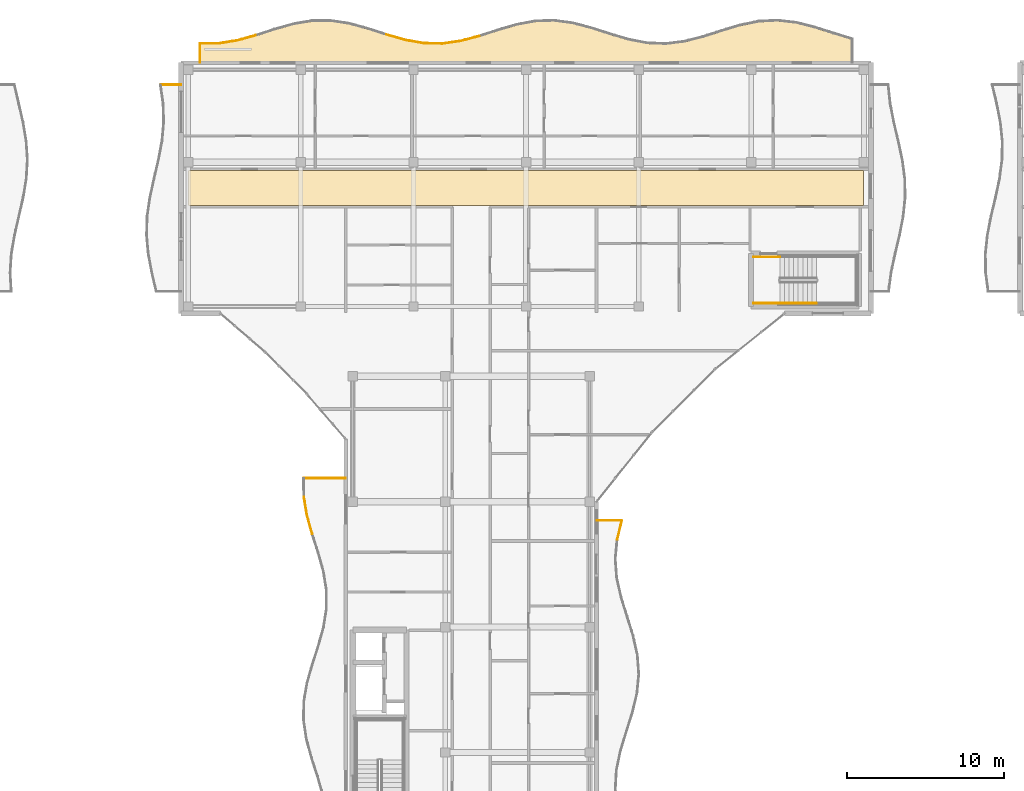
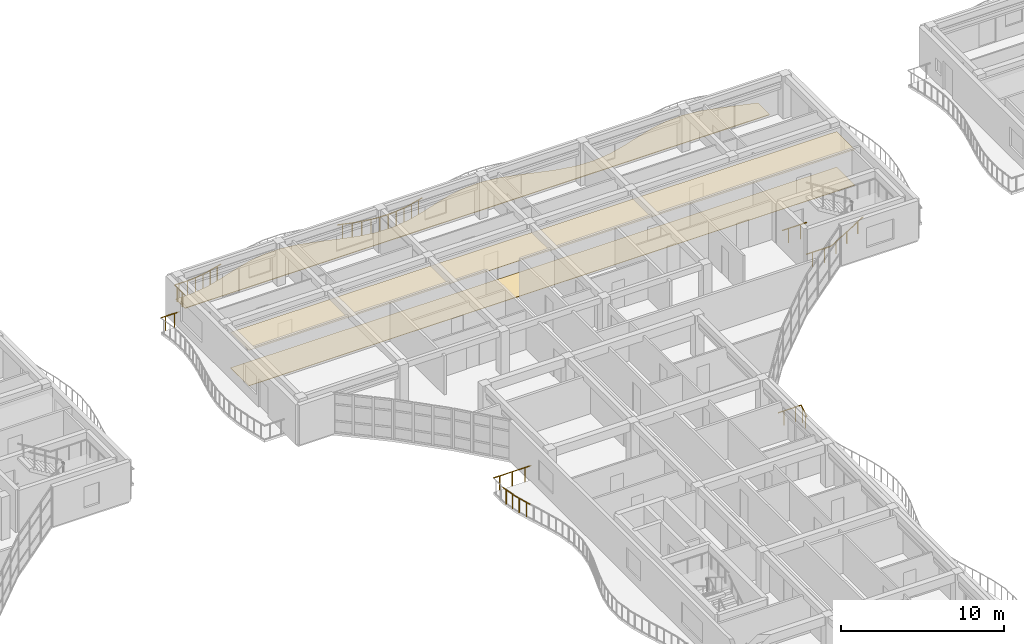
# One storey, part 63 of 72: 18 railings, 3 coverings.
"""IFC4 building model written with IfcOpenShell, lengths in metres."""

from ifc_helpers import new_model, si_unit, direction, frame, origin, origin_2d, place, context, subcontext, project, spatial, polyline, circle, outline, extrude, material, layer, layer_set, type_object, element, save


model = new_model("IFC4")

# Units and contexts
model_context = context("Model", 3, precision=1e-05, world=origin(), true_north=direction((0.0, 1.0)))
body_context = subcontext(model_context, "Body", "Model", "MODEL_VIEW")
ifc_project = project(units=[si_unit("LENGTHUNIT", "METRE"), si_unit("AREAUNIT", "SQUARE_METRE"), si_unit("VOLUMEUNIT", "CUBIC_METRE"), si_unit("PLANEANGLEUNIT", "RADIAN"), si_unit("MASSUNIT", "GRAM", prefix="KILO")], contexts=[model_context])

# Site, building, storey
site_placement = place(None, origin())
site = spatial("IfcSite", under=ifc_project, at=site_placement, CompositionType="ELEMENT")
building_placement = place(site_placement, origin())
building = spatial("IfcBuilding", under=site, at=building_placement, Name="Keldmere Railside Commons", CompositionType="ELEMENT")
storey_placement = place(building_placement, frame((0.0, 0.0, 16.9599609375)))
storey = spatial("IfcBuildingStorey", under=building, at=storey_placement, Name="L05", CompositionType="ELEMENT", Elevation=16.9599609375)

# Railings
ifc_material_1 = material(Name="Steel F-24 (S235)", Category="steel")
railing_type_1 = type_object("IfcRailingType", Name="Balcony & Terrace Steel Balustrade 1100", PredefinedType="BALUSTRADE", material=ifc_material_1)
railing_1_placement = place(storey_placement, frame((94.699951171875, 116.0, 0.0)))
element("IfcRailing", 1, at=railing_1_placement, inside=storey, type_object=railing_type_1, Name="GR-1 GRD-L05-2368", PredefinedType="BALUSTRADE", context=body_context, shape_type="SweptSolid", body=[
    extrude(circle(Radius=0.02392578125, at=origin_2d()), frame((0.0, 0.0, 1.076171875), z_axis=(0.0, 1.0, 0.0), x_axis=(-1.0, 0.0, 0.0)), (0.0, 0.0, 1.0), 1.2255859375),
    extrude(circle(Radius=0.02099609375, at=origin_2d()), frame((0.0, 0.306396484375, 0.0)), (0.0, 0.0, 1.0), 1.048095703125),
    extrude(circle(Radius=0.02099609375, at=origin_2d()), frame((0.0, 0.919189453125, 0.0)), (0.0, 0.0, 1.0), 1.048095703125),
])
railing_2_placement = place(storey_placement, frame((94.699951171875, 117.2255859375, 0.0)))
element("IfcRailing", 2, at=railing_2_placement, inside=storey, type_object=railing_type_1, Name="GR-1 GRD-L05-2369", PredefinedType="BALUSTRADE", context=body_context, shape_type="SweptSolid", body=[
    extrude(circle(Radius=0.02392578125, at=origin_2d()), frame((0.0, 0.0, 1.076171875), z_axis=(0.999999662549, -0.00082152365, 0.0), x_axis=(0.00082152365, 0.999999662549, 0.0)), (0.0, 0.0, 1.0), 1.188720703125),
    extrude(circle(Radius=0.02099609375, at=origin_2d()), frame((0.297119140625, -0.000244140625, 0.0)), (0.0, 0.0, 1.0), 1.048095703125),
    extrude(circle(Radius=0.02099609375, at=origin_2d()), frame((0.8916015625, -0.000732421875, 0.0)), (0.0, 0.0, 1.0), 1.048095703125),
])
railing_3_placement = place(storey_placement, frame((95.888671875, 117.224609375, 0.0)))
element("IfcRailing", 3, at=railing_3_placement, inside=storey, type_object=railing_type_1, Name="GR-1 GRD-L05-2370", PredefinedType="BALUSTRADE", context=body_context, shape_type="SweptSolid", body=[
    extrude(circle(Radius=0.02392578125, at=origin_2d()), frame((0.0, 0.0, 1.076171875), z_axis=(0.987531613027, 0.157420815881, 0.0), x_axis=(-0.157420815881, 0.987531613027, 0.0)), (0.0, 0.0, 1.0), 1.203369140625),
    extrude(circle(Radius=0.02099609375, at=origin_2d()), frame((0.297119140625, 0.04736328125, 0.0)), (0.0, 0.0, 1.0), 1.048095703125),
    extrude(circle(Radius=0.02099609375, at=origin_2d()), frame((0.891357421875, 0.14208984375, 0.0)), (0.0, 0.0, 1.0), 1.048095703125),
])
railing_4_placement = place(storey_placement, frame((97.0771484375, 117.4140625, 0.0)))
element("IfcRailing", 4, at=railing_4_placement, inside=storey, type_object=railing_type_1, Name="GR-1 GRD-L05-2371", PredefinedType="BALUSTRADE", context=body_context, shape_type="SweptSolid", body=[
    extrude(circle(Radius=0.02392578125, at=origin_2d()), frame((0.0, 0.0, 1.076171875), z_axis=(0.963427121769, 0.267970485389, 0.0), x_axis=(-0.267970485389, 0.963427121769, 0.0)), (0.0, 0.0, 1.0), 1.233642578125),
    extrude(circle(Radius=0.02099609375, at=origin_2d()), frame((0.297119140625, 0.08251953125, 0.0)), (0.0, 0.0, 1.0), 1.048095703125),
    extrude(circle(Radius=0.02099609375, at=origin_2d()), frame((0.891357421875, 0.248046875, 0.0)), (0.0, 0.0, 1.0), 1.048095703125),
])
railing_5_placement = place(storey_placement, frame((106.585693359375, 117.792724609375, 0.0)))
element("IfcRailing", 5, at=railing_5_placement, inside=storey, type_object=railing_type_1, Name="GR-1 GRD-L05-2379", PredefinedType="BALUSTRADE", context=body_context, shape_type="SweptSolid", body=[
    extrude(circle(Radius=0.02392578125, at=origin_2d()), frame((0.0, 0.0, 1.076171875), z_axis=(0.960850873278, -0.27706605588, 0.0), x_axis=(0.27706605588, 0.960850873278, 0.0)), (0.0, 0.0, 1.0), 1.237060546875),
    extrude(circle(Radius=0.02099609375, at=origin_2d()), frame((0.297119140625, -0.085693359375, 0.0)), (0.0, 0.0, 1.0), 1.048095703125),
    extrude(circle(Radius=0.02099609375, at=origin_2d()), frame((0.8916015625, -0.257080078125, 0.0)), (0.0, 0.0, 1.0), 1.048095703125),
])
railing_6_placement = place(storey_placement, frame((107.7744140625, 117.449951171875, 0.0)))
element("IfcRailing", 6, at=railing_6_placement, inside=storey, type_object=railing_type_1, Name="GR-1 GRD-L05-2380", PredefinedType="BALUSTRADE", context=body_context, shape_type="SweptSolid", body=[
    extrude(circle(Radius=0.02392578125, at=origin_2d()), frame((0.0, 0.0, 1.076171875), z_axis=(0.984542363622, -0.175146607826, 0.0), x_axis=(0.175146607826, 0.984542363622, 0.0)), (0.0, 0.0, 1.0), 1.20703125),
    extrude(circle(Radius=0.02099609375, at=origin_2d()), frame((0.297119140625, -0.052734375, 0.0)), (0.0, 0.0, 1.0), 1.048095703125),
    extrude(circle(Radius=0.02099609375, at=origin_2d()), frame((0.891357421875, -0.15869140625, 0.0)), (0.0, 0.0, 1.0), 1.048095703125),
])
railing_7_placement = place(storey_placement, frame((108.962890625, 117.238525390625, 0.0)))
element("IfcRailing", 7, at=railing_7_placement, inside=storey, type_object=railing_type_1, Name="GR-1 GRD-L05-2381", PredefinedType="BALUSTRADE", context=body_context, shape_type="SweptSolid", body=[
    extrude(circle(Radius=0.02392578125, at=origin_2d()), frame((0.0, 0.0, 1.076171875), z_axis=(0.999793269495, -0.020332689745, 0.0), x_axis=(0.020332689745, 0.999793269495, 0.0)), (0.0, 0.0, 1.0), 1.188720703125),
    extrude(circle(Radius=0.02099609375, at=origin_2d()), frame((0.297119140625, -0.006103515625, 0.0)), (0.0, 0.0, 1.0), 1.048095703125),
    extrude(circle(Radius=0.02099609375, at=origin_2d()), frame((0.891357421875, -0.01806640625, 0.0)), (0.0, 0.0, 1.0), 1.048095703125),
])
railing_8_placement = place(storey_placement, frame((110.1513671875, 117.21435546875, 0.0)))
element("IfcRailing", 8, at=railing_8_placement, inside=storey, type_object=railing_type_1, Name="GR-1 GRD-L05-2382", PredefinedType="BALUSTRADE", context=body_context, shape_type="SweptSolid", body=[
    extrude(circle(Radius=0.02392578125, at=origin_2d()), frame((0.0, 0.0, 1.076171875), z_axis=(0.989994175855, 0.14110822716, 0.0), x_axis=(-0.14110822716, 0.989994175855, 0.0)), (0.0, 0.0, 1.0), 1.20068359375),
    extrude(circle(Radius=0.02099609375, at=origin_2d()), frame((0.297119140625, 0.04248046875, 0.0)), (0.0, 0.0, 1.0), 1.048095703125),
    extrude(circle(Radius=0.02099609375, at=origin_2d()), frame((0.8916015625, 0.126953125, 0.0)), (0.0, 0.0, 1.0), 1.048095703125),
])
railing_9_placement = place(storey_placement, frame((111.340087890625, 117.3837890625, 0.0)))
element("IfcRailing", 9, at=railing_9_placement, inside=storey, type_object=railing_type_1, Name="GR-1 GRD-L05-2383", PredefinedType="BALUSTRADE", context=body_context, shape_type="SweptSolid", body=[
    extrude(circle(Radius=0.02392578125, at=origin_2d()), frame((0.0, 0.0, 1.076171875), z_axis=(0.965994088361, 0.258564153068, 0.0), x_axis=(-0.258564153068, 0.965994088361, 0.0)), (0.0, 0.0, 1.0), 1.230224609375),
    extrude(circle(Radius=0.02099609375, at=origin_2d()), frame((0.297119140625, 0.07958984375, 0.0)), (0.0, 0.0, 1.0), 1.048095703125),
    extrude(circle(Radius=0.02099609375, at=origin_2d()), frame((0.891357421875, 0.238525390625, 0.0)), (0.0, 0.0, 1.0), 1.048095703125),
])
railing_10_placement = place(storey_placement, frame((121.31640625, 85.574951171875, 0.0)))
element("IfcRailing", 10, at=railing_10_placement, inside=storey, type_object=railing_type_1, Name="GR-1 GRD-L05-2429", PredefinedType="BALUSTRADE", context=body_context, shape_type="SweptSolid", body=[
    extrude(circle(Radius=0.02392578125, at=origin_2d()), frame((0.0, 0.0, 1.076171875), z_axis=(0.232581184257, 0.972576985503, 0.0), x_axis=(-0.972576985503, 0.232581184257, 0.0)), (0.0, 0.0, 1.0), 1.259521484375),
    extrude(circle(Radius=0.02099609375, at=origin_2d()), frame((0.0732421875, 0.30615234375, 0.0)), (0.0, 0.0, 1.0), 1.048095703125),
    extrude(circle(Radius=0.02099609375, at=origin_2d()), frame((0.2197265625, 0.9189453125, 0.0)), (0.0, 0.0, 1.0), 1.048095703125),
])
railing_11_placement = place(storey_placement, frame((121.609375, 86.800048828125, 0.0)))
element("IfcRailing", 11, at=railing_11_placement, inside=storey, type_object=railing_type_1, Name="GR-1 GRD-L05-2430", PredefinedType="BALUSTRADE", context=body_context, shape_type="SweptSolid", body=[
    extrude(circle(Radius=0.02392578125, at=origin_2d()), frame((0.0, 0.0, 1.076171875), z_axis=(-1.0, 0.0, 0.0), x_axis=(0.0, -1.0, 0.0)), (0.0, 0.0, 1.0), 1.609375),
    extrude(circle(Radius=0.02099609375, at=origin_2d()), frame((-0.40234375, 0.0, 0.0)), (0.0, 0.0, 1.0), 1.048095703125),
    extrude(circle(Radius=0.02099609375, at=origin_2d()), frame((-1.20703125, 0.0, 0.0)), (0.0, 0.0, 1.0), 1.048095703125),
])
railing_12_placement = place(storey_placement, frame((101.864013671875, 85.933349609375, 0.0)))
element("IfcRailing", 12, at=railing_12_placement, inside=storey, type_object=railing_type_1, Name="GR-1 GRD-L05-2456", PredefinedType="BALUSTRADE", context=body_context, shape_type="SweptSolid", body=[
    extrude(circle(Radius=0.02392578125, at=origin_2d()), frame((0.0, 0.0, 1.076171875), z_axis=(-0.271718304194, 0.962376830127, 0.0), x_axis=(-0.962376830127, -0.271718304194, 0.0)), (0.0, 0.0, 1.0), 1.2353515625),
    extrude(circle(Radius=0.02099609375, at=origin_2d()), frame((-0.083984375, 0.29736328125, 0.0)), (0.0, 0.0, 1.0), 1.048095703125),
    extrude(circle(Radius=0.02099609375, at=origin_2d()), frame((-0.251708984375, 0.8916015625, 0.0)), (0.0, 0.0, 1.0), 1.048095703125),
])
railing_13_placement = place(storey_placement, frame((101.5283203125, 87.122314453125, 0.0)))
element("IfcRailing", 13, at=railing_13_placement, inside=storey, type_object=railing_type_1, Name="GR-1 GRD-L05-2457", PredefinedType="BALUSTRADE", context=body_context, shape_type="SweptSolid", body=[
    extrude(circle(Radius=0.02392578125, at=origin_2d()), frame((0.0, 0.0, 1.076171875), z_axis=(-0.164694631998, 0.986344604178, 0.0), x_axis=(-0.986344604178, -0.164694631998, 0.0)), (0.0, 0.0, 1.0), 1.205078125),
    extrude(circle(Radius=0.02099609375, at=origin_2d()), frame((-0.049560546875, 0.297119140625, 0.0)), (0.0, 0.0, 1.0), 1.048095703125),
    extrude(circle(Radius=0.02099609375, at=origin_2d()), frame((-0.14892578125, 0.8916015625, 0.0)), (0.0, 0.0, 1.0), 1.048095703125),
])
railing_14_placement = place(storey_placement, frame((101.32080078125, 89.5, 0.0)))
element("IfcRailing", 14, at=railing_14_placement, inside=storey, type_object=railing_type_1, Name="GR-1 GRD-L05-2459", PredefinedType="BALUSTRADE", context=body_context, shape_type="SweptSolid", body=[
    extrude(circle(Radius=0.02392578125, at=origin_2d()), frame((0.0, 0.0, 1.076171875), z_axis=(1.0, 0.0, 0.0), x_axis=(0.0, 1.0, 0.0)), (0.0, 0.0, 1.0), 2.67919921875),
    extrude(circle(Radius=0.02099609375, at=origin_2d()), frame((0.446533203125, 0.0, 0.0)), (0.0, 0.0, 1.0), 1.048095703125),
    extrude(circle(Radius=0.02099609375, at=origin_2d()), frame((1.339599609375, 0.0, 0.0)), (0.0, 0.0, 1.0), 1.048095703125),
    extrude(circle(Radius=0.02099609375, at=origin_2d()), frame((2.232666015625, 0.0, 0.0)), (0.0, 0.0, 1.0), 1.048095703125),
])
railing_15_placement = place(storey_placement, frame((92.185791015625, 114.60009765625, 0.0)))
element("IfcRailing", 15, at=railing_15_placement, inside=storey, type_object=railing_type_1, Name="GR-1 GRD-L05-2485", PredefinedType="BALUSTRADE", context=body_context, shape_type="SweptSolid", body=[
    extrude(circle(Radius=0.02392578125, at=origin_2d()), frame((0.0, 0.0, 1.076171875), z_axis=(1.0, 0.0, 0.0), x_axis=(0.0, 1.0, 0.0)), (0.0, 0.0, 1.0), 1.314208984375),
    extrude(circle(Radius=0.02099609375, at=origin_2d()), frame((0.32861328125, 0.0, 0.0)), (0.0, 0.0, 1.0), 1.048095703125),
    extrude(circle(Radius=0.02099609375, at=origin_2d()), frame((0.985595703125, 0.0, 0.0)), (0.0, 0.0, 1.0), 1.048095703125),
])

# Covering
ifc_material_2 = material(Name="Polished Terrazzo Tile Flooring", Category="concrete")
ifc_layer_1 = layer(ifc_material_2, 0.030029296875, Name="Polished Terrazzo Floor Finish 30")
ifc_layer_set_1 = layer_set([ifc_layer_1], Name="Polished Terrazzo Tile Flooring")
covering_type_1 = type_object("IfcCoveringType", Name="Polished Terrazzo Floor Finish 30", PredefinedType="FLOORING", material=ifc_layer_set_1)
covering_1_placement = place(storey_placement, origin())
element("IfcCovering", 16, at=covering_1_placement, inside=storey, type_object=covering_type_1, Name="FLR-1 Corridor Terrazzo B-L05", PredefinedType="FLOORING", context=body_context, shape_type="SweptSolid", body=[
    extrude(outline(polyline([(93.97998046875, 106.8798828125), (137.02001953125, 106.8798828125), (137.02001953125, 109.1201171875), (93.97998046875, 109.1201171875), (93.97998046875, 106.8798828125)])), origin(), (0.0, 0.0, 1.0), 0.030029296875),
])

# Railings
railing_type_2 = type_object("IfcRailingType", Name="Stair Well Steel Guardrail 1100", PredefinedType="BALUSTRADE", material=ifc_material_1)
for number, where, name in (
    (17, (130.0, 100.64990234375, 0.0), "L05 ST-B2 stair guard 8"),
    (18, (130.0, 103.60009765625, 0.0), "L05 ST-B2 stair guard 9"),
):
    element("IfcRailing", number, at=place(storey_placement, frame(where)), inside=storey, type_object=railing_type_2, Name=name, PredefinedType="BALUSTRADE", context=body_context, shape_type="SweptSolid", body=[
        extrude(circle(Radius=0.02392578125, at=origin_2d()), frame((0.0, 0.0, 1.076171875), z_axis=(1.0, 0.0, 0.0), x_axis=(0.0, 1.0, 0.0)), (0.0, 0.0, 1.0), 1.699951171875),
        extrude(circle(Radius=0.02099609375, at=origin_2d()), frame((0.425048828125, 0.0, 0.0)), (0.0, 0.0, 1.0), 1.048095703125),
        extrude(circle(Radius=0.02099609375, at=origin_2d()), frame((1.27490234375, 0.0, 0.0)), (0.0, 0.0, 1.0), 1.048095703125),
    ])

# Covering
ifc_material_3 = material(Name="Acoustic Mineral-Fibre Gypsum Ceiling", Category="gypsum")
ifc_layer_2 = layer(ifc_material_3, 0.02490234375, Name="Suspended Acoustic Ceiling 25")
ifc_layer_set_2 = layer_set([ifc_layer_2], Name="Acoustic Mineral-Fibre Gypsum Ceiling")
covering_type_2 = type_object("IfcCoveringType", Name="Suspended Acoustic Ceiling 25", PredefinedType="CEILING", material=ifc_layer_set_2)
covering_2_placement = place(storey_placement, frame((0.0, 0.0, 2.675048828125)))
element("IfcCovering", 19, at=covering_2_placement, inside=storey, type_object=covering_type_2, Name="CLG-1 Corridor Ceiling B-L05", PredefinedType="CEILING", context=body_context, shape_type="SweptSolid", body=[
    extrude(outline(polyline([(93.97998046875, 106.8798828125), (137.02001953125, 106.8798828125), (137.02001953125, 109.1201171875), (93.97998046875, 109.1201171875), (93.97998046875, 106.8798828125)])), origin(), (0.0, 0.0, 1.0), 0.02490234375),
])

# Railing
railing_type_3 = type_object("IfcRailingType", Name="Wall-Mounted Tubular Steel Handrail 900", PredefinedType="HANDRAIL", material=ifc_material_1)
railing_16_placement = place(storey_placement, frame((131.699951171875, 100.64990234375, 0.177734375)))
element("IfcRailing", 20, at=railing_16_placement, inside=storey, type_object=railing_type_3, Name="L05 ST-B2 stair handrail 1", PredefinedType="HANDRAIL", context=body_context, shape_type="SweptSolid", body=[
    extrude(circle(Radius=0.02392578125, at=origin_2d()), frame((0.0, 0.0, 0.8759765625), z_axis=(0.852538067394, 0.0, 0.522665135287), x_axis=(0.0, 1.0, 0.0)), (0.0, 0.0, 1.0), 2.721435546875),
    extrude(circle(Radius=0.02099609375, at=origin_2d()), frame((0.38671875, 0.0, 0.237060546875)), (0.0, 0.0, 1.0), 0.847900390625),
    extrude(circle(Radius=0.02099609375, at=origin_2d()), frame((1.16015625, 0.0, 0.711181640625)), (0.0, 0.0, 1.0), 0.847900390625),
    extrude(circle(Radius=0.02099609375, at=origin_2d()), frame((1.933349609375, 0.0, 1.185302734375)), (0.0, 0.0, 1.0), 0.847900390625),
])

# Covering
ifc_material_4 = material(Name="White Precast Concrete C35/45", Category="concrete")
ifc_layer_3 = layer(ifc_material_4, 0.044921875, Name="White Architectural Balcony Ribbon Cladding 45")
ifc_layer_set_3 = layer_set([ifc_layer_3], Name="White Precast Concrete C35/45")
covering_type_3 = type_object("IfcCoveringType", Name="White Architectural Balcony Ribbon Cladding 45", PredefinedType="FLOORING", material=ifc_layer_set_3)
covering_3_placement = place(storey_placement, origin())
element("IfcCovering", 21, at=covering_3_placement, inside=storey, type_object=covering_type_3, Name="CLG-WB B L05 N White Balcony Ribbon", PredefinedType="FLOORING", context=body_context, shape_type="SweptSolid", body=[
    extrude(outline(polyline([(136.260009765625, 116.0400390625), (136.260009765625, 117.490478515625), (135.099853515625, 117.843017578125), (135.09912109375, 117.84326171875), (133.912109375, 118.22216796875), (132.72705078125, 118.518798828125), (131.54443359375, 118.655517578125), (130.362060546875, 118.597412109375), (129.17822265625, 118.359130859375), (127.991943359375, 118.002685546875), (126.8037109375, 117.621826171875), (126.80126953125, 117.621337890625), (125.61279296875, 117.316650390625), (125.60791015625, 117.315673828125), (124.419189453125, 117.167236328125), (124.416015625, 117.1669921875), (124.41259765625, 117.1669921875), (123.22412109375, 117.214111328125), (123.22119140625, 117.21435546875), (123.218017578125, 117.21484375), (122.029541015625, 117.44482421875), (122.025634765625, 117.44580078125), (120.837158203125, 117.798583984375), (120.836181640625, 117.798583984375), (119.648681640625, 118.180908203125), (118.463623046875, 118.491455078125), (117.28076171875, 118.6494140625), (116.0986328125, 118.614013671875), (114.9150390625, 118.394287109375), (113.72900390625, 118.047119140625), (112.541015625, 117.663818359375), (112.538818359375, 117.663330078125), (111.350341796875, 117.34521484375), (111.345703125, 117.343994140625), (110.156982421875, 117.1748046875), (110.15380859375, 117.174560546875), (110.150634765625, 117.17431640625), (108.962158203125, 117.198486328125), (108.958984375, 117.19873046875), (108.955810546875, 117.19921875), (107.767333984375, 117.410400390625), (107.76318359375, 117.41162109375), (106.57470703125, 117.75439453125), (106.573486328125, 117.754638671875), (105.3857421875, 118.138671875), (104.2001953125, 118.462158203125), (103.01708984375, 118.640869140625), (101.8349609375, 118.628173828125), (100.651611328125, 118.427490234375), (99.4658203125, 118.0908203125), (98.278076171875, 117.70654296875), (98.2763671875, 117.7060546875), (97.087890625, 117.37548828125), (97.08349609375, 117.37451171875), (95.89501953125, 117.18505859375), (95.8916015625, 117.1845703125), (95.888671875, 117.1845703125), (94.739990234375, 117.185791015625), (94.739990234375, 116.0400390625), (136.260009765625, 116.0400390625)])), origin(), (0.0, 0.0, 1.0), 0.044921875),
])

save(model, "model.ifc")
